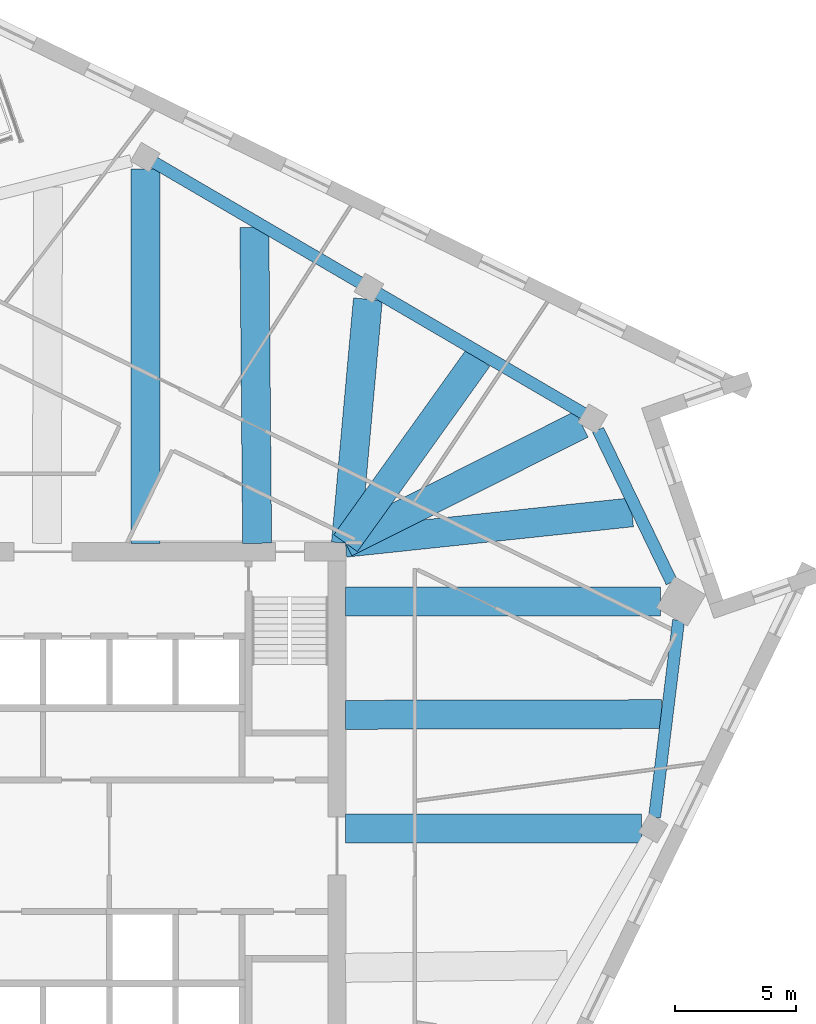
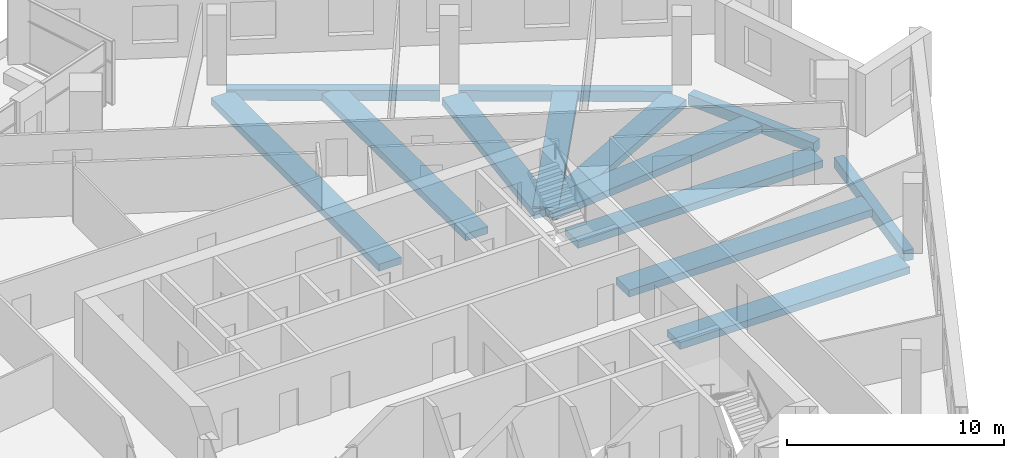
# One storey, part 3 of 13: 13 beams.
"""IFC4 building model written with IfcOpenShell, lengths in metres."""

from ifc_helpers import new_model, si_unit, direction, frame, origin, origin_2d, place, context, subcontext, project, spatial, rectangle, extrude, material, material_profile, profile_set, type_object, element, save


model = new_model("IFC4")

# Units and contexts
model_context = context("Model", 3, precision=1e-05, world=origin(), true_north=direction((0.0, 1.0)))
body_context = subcontext(model_context, "Body", "Model", "MODEL_VIEW")
ifc_project = project(units=[si_unit("LENGTHUNIT", "METRE"), si_unit("AREAUNIT", "SQUARE_METRE"), si_unit("VOLUMEUNIT", "CUBIC_METRE"), si_unit("PLANEANGLEUNIT", "RADIAN"), si_unit("MASSUNIT", "GRAM", prefix="KILO")], contexts=[model_context])

# Site, building, storey
site_placement = place(None, origin())
site = spatial("IfcSite", under=ifc_project, at=site_placement, CompositionType="ELEMENT")
building_placement = place(site_placement, origin())
building = spatial("IfcBuilding", under=site, at=building_placement, Name="Dilmun Exchange Tower", CompositionType="ELEMENT")
storey_placement = place(building_placement, frame((0.0, 0.0, 282.89990234375)))
storey = spatial("IfcBuildingStorey", under=building, at=storey_placement, Name="L67", CompositionType="ELEMENT", Elevation=282.89990234375)

# Beams
ifc_material = material(Name="Concrete C40/50", Category="concrete")
ifc_material_profile_1 = material_profile(ifc_material, rectangle(XDim=1.199951171875, YDim=0.39990234375, at=origin_2d()), Name="1200 x 400")
ifc_profile_set_1 = profile_set([ifc_material_profile_1], Name="Concrete C40/50")
beam_type_1 = type_object("IfcBeamType", Name="RC band beam 1200 x 400 C40/50", PredefinedType="BEAM", material=ifc_profile_set_1)
beam_1_placement = place(storey_placement, frame((24.773681640625, 0.721923828125, -0.659912109375), z_axis=(-1.0, 0.0, 0.0), x_axis=(0.0, -1.0, 0.0)))
element("IfcBeam", 1, at=beam_1_placement, inside=storey, type_object=beam_type_1, Name="Band beam 12", PredefinedType="BEAM", context=body_context, shape_type="SweptSolid", body=[
    extrude(rectangle(XDim=1.199951171875, YDim=0.39990234375, at=origin_2d()), origin(), (0.0, 0.0, 1.0), 12.250732421875),
])
beam_2_placement = place(storey_placement, frame((25.5732421875, 10.1220703125, -0.659912109375), z_axis=(-1.0, 0.0, 0.0), x_axis=(0.0, -1.0, 0.0)))
element("IfcBeam", 2, at=beam_2_placement, inside=storey, type_object=beam_type_1, Name="Band beam 13", PredefinedType="BEAM", context=body_context, shape_type="SweptSolid", body=[
    extrude(rectangle(XDim=1.199951171875, YDim=0.39990234375, at=origin_2d()), origin(), (0.0, 0.0, 1.0), 13.05029296875),
])
beam_3_placement = place(storey_placement, frame((22.302734375, 17.453125, -0.659912109375), z_axis=(-0.893443377394, -0.449175835716, 0.0), x_axis=(0.449175835716, -0.893443377394, 0.0)))
element("IfcBeam", 3, at=beam_3_placement, inside=storey, type_object=beam_type_1, Name="Band beam 14", PredefinedType="BEAM", context=body_context, shape_type="SweptSolid", body=[
    extrude(rectangle(XDim=1.199951171875, YDim=0.39990234375, at=origin_2d()), origin(), (0.0, 0.0, 1.0), 10.94287109375),
])
beam_4_placement = place(storey_placement, frame((13.456787109375, 22.625732421875, -0.659912109375), z_axis=(-0.089632924375, -0.995974868593, 0.0), x_axis=(0.995974868593, -0.089632924375, 0.0)))
element("IfcBeam", 4, at=beam_4_placement, inside=storey, type_object=beam_type_1, Name="Band beam 15", PredefinedType="BEAM", context=body_context, shape_type="SweptSolid", body=[
    extrude(rectangle(XDim=1.199951171875, YDim=0.39990234375, at=origin_2d()), origin(), (0.0, 0.0, 1.0), 10.143310546875),
])
beam_5_placement = place(storey_placement, frame((4.239990234375, 28.01171875, -0.659912109375), z_axis=(0.0, -1.0, 0.0), x_axis=(1.0, 0.0, 0.0)))
element("IfcBeam", 5, at=beam_5_placement, inside=storey, type_object=beam_type_1, Name="Band beam 16", PredefinedType="BEAM", context=body_context, shape_type="SweptSolid", body=[
    extrude(rectangle(XDim=1.199951171875, YDim=0.39990234375, at=origin_2d()), origin(), (0.0, 0.0, 1.0), 15.48876953125),
])
beam_6_placement = place(storey_placement, frame((25.6201171875, 5.448974609375, -0.559814453125), z_axis=(-0.999997897774, -0.002050474756, 0.0), x_axis=(0.002050474756, -0.999997897774, 0.0)))
element("IfcBeam", 6, at=beam_6_placement, inside=storey, type_object=beam_type_1, Name="Band beam 28", PredefinedType="BEAM", context=body_context, shape_type="SweptSolid", body=[
    extrude(rectangle(XDim=1.199951171875, YDim=0.39990234375, at=origin_2d()), origin(), (0.0, 0.0, 1.0), 13.09716796875),
])
beam_7_placement = place(storey_placement, frame((24.3857421875, 13.804931640625, -0.559814453125), z_axis=(-0.994425543871, -0.105441157505, 0.0), x_axis=(0.105441157505, -0.994425543871, 0.0)))
element("IfcBeam", 7, at=beam_7_placement, inside=storey, type_object=beam_type_1, Name="Band beam 29", PredefinedType="BEAM", context=body_context, shape_type="SweptSolid", body=[
    extrude(rectangle(XDim=1.199951171875, YDim=0.39990234375, at=origin_2d()), origin(), (0.0, 0.0, 1.0), 11.928955078125),
])
beam_8_placement = place(storey_placement, frame((18.01611328125, 20.195556640625, -0.559814453125), z_axis=(-0.581600762294, -0.81347437163, 0.0), x_axis=(0.81347437163, -0.581600762294, 0.0)))
element("IfcBeam", 8, at=beam_8_placement, inside=storey, type_object=beam_type_1, Name="Band beam 30", PredefinedType="BEAM", context=body_context, shape_type="SweptSolid", body=[
    extrude(rectangle(XDim=1.199951171875, YDim=0.39990234375, at=origin_2d()), origin(), (0.0, 0.0, 1.0), 9.425537109375),
])
beam_9_placement = place(storey_placement, frame((8.757080078125, 25.607421875, -0.559814453125), z_axis=(0.008582734208, -0.999963167658, 0.0), x_axis=(0.999963167658, 0.008582734208, 0.0)))
element("IfcBeam", 9, at=beam_9_placement, inside=storey, type_object=beam_type_1, Name="Band beam 31", PredefinedType="BEAM", context=body_context, shape_type="SweptSolid", body=[
    extrude(rectangle(XDim=1.199951171875, YDim=0.39990234375, at=origin_2d()), origin(), (0.0, 0.0, 1.0), 13.0849609375),
])
ifc_material_profile_2 = material_profile(ifc_material, rectangle(XDim=0.5, YDim=0.60009765625, at=origin_2d()), Name="500 x 600")
ifc_profile_set_2 = profile_set([ifc_material_profile_2], Name="Concrete C40/50")
beam_type_2 = type_object("IfcBeamType", Name="RC ring beam 500 x 600 C40/50", PredefinedType="SPANDREL", material=ifc_profile_set_2)
beam_10_placement = place(storey_placement, frame((25.32421875, 1.181640625, -0.659912109375), z_axis=(0.121108645076, 0.992639257781, 0.0), x_axis=(-0.992639257781, 0.121108645076, 0.0)))
element("IfcBeam", 10, at=beam_10_placement, inside=storey, type_object=beam_type_2, Name="Ring beam 12", PredefinedType="SPANDREL", context=body_context, shape_type="SweptSolid", body=[
    extrude(rectangle(XDim=0.5, YDim=0.60009765625, at=origin_2d()), origin(), (0.0, 0.0, 1.0), 8.216796875),
])
beam_11_placement = place(storey_placement, frame((26.033447265625, 10.910888671875, -0.659912109375), z_axis=(-0.435439794363, 0.900217854458, 0.0), x_axis=(-0.900217854458, -0.435439794363, 0.0)))
element("IfcBeam", 11, at=beam_11_placement, inside=storey, type_object=beam_type_2, Name="Ring beam 13", PredefinedType="SPANDREL", context=body_context, shape_type="SweptSolid", body=[
    extrude(rectangle(XDim=0.5, YDim=0.60009765625, at=origin_2d()), origin(), (0.0, 0.0, 1.0), 7.0068359375),
])
beam_12_placement = place(storey_placement, frame((22.392822265625, 17.8955078125, -0.659912109375), z_axis=(-0.863333071594, 0.504634528637, 0.0), x_axis=(-0.504634528637, -0.863333071594, 0.0)))
element("IfcBeam", 12, at=beam_12_placement, inside=storey, type_object=beam_type_2, Name="Ring beam 14", PredefinedType="SPANDREL", context=body_context, shape_type="SweptSolid", body=[
    extrude(rectangle(XDim=0.5, YDim=0.60009765625, at=origin_2d()), origin(), (0.0, 0.0, 1.0), 9.878662109375),
])
beam_13_placement = place(storey_placement, frame((13.1337890625, 23.3076171875, -0.659912109375), z_axis=(-0.863343838609, 0.504616107884, 0.0), x_axis=(-0.504616107884, -0.863343838609, 0.0)))
element("IfcBeam", 13, at=beam_13_placement, inside=storey, type_object=beam_type_2, Name="Ring beam 15", PredefinedType="SPANDREL", context=body_context, shape_type="SweptSolid", body=[
    extrude(rectangle(XDim=0.5, YDim=0.60009765625, at=origin_2d()), origin(), (0.0, 0.0, 1.0), 9.87841796875),
])

save(model, "model.ifc")
